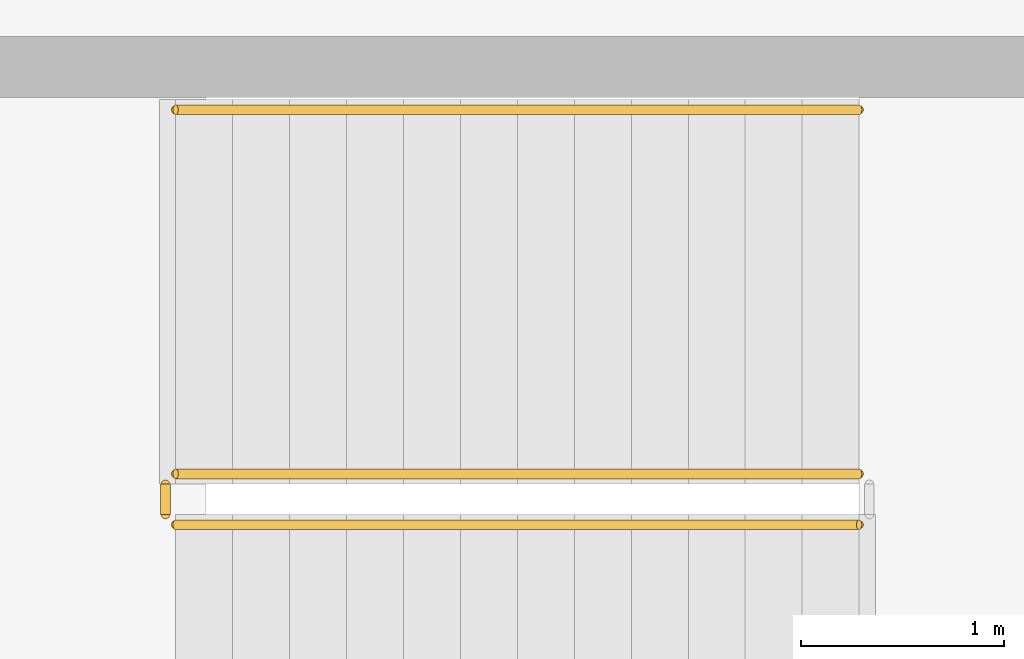
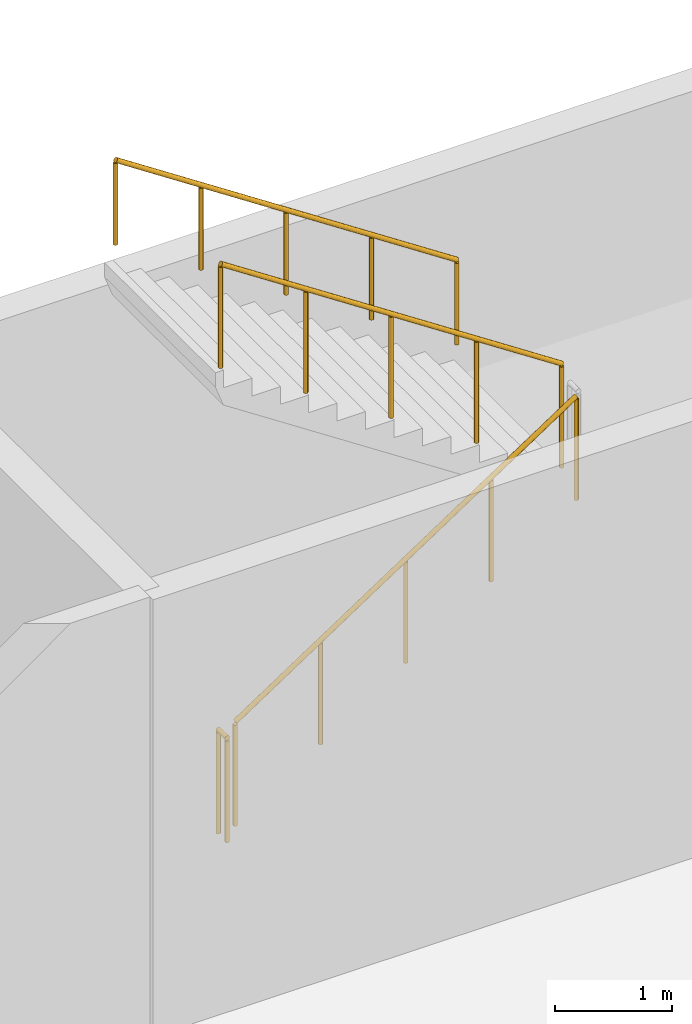
# One storey, part 57 of 66: 4 railings.
"""IFC4 building model written with IfcOpenShell, lengths in metres."""

from ifc_helpers import new_model, si_unit, direction, frame, origin, origin_2d, place, context, subcontext, project, spatial, circle, extrude, material, type_object, element, save


model = new_model("IFC4")

# Units and contexts
model_context = context("Model", 3, precision=1e-05, world=origin(), true_north=direction((0.0, 1.0)))
body_context = subcontext(model_context, "Body", "Model", "MODEL_VIEW")
ifc_project = project(units=[si_unit("LENGTHUNIT", "METRE"), si_unit("AREAUNIT", "SQUARE_METRE"), si_unit("VOLUMEUNIT", "CUBIC_METRE"), si_unit("PLANEANGLEUNIT", "RADIAN"), si_unit("MASSUNIT", "GRAM", prefix="KILO")], contexts=[model_context])

# Site, building, storey
site_placement = place(None, origin())
site = spatial("IfcSite", under=ifc_project, at=site_placement, CompositionType="ELEMENT")
building_placement = place(site_placement, origin())
building = spatial("IfcBuilding", under=site, at=building_placement, Name="Mirzam Square Science Centre", CompositionType="ELEMENT")
storey_placement = place(building_placement, frame((0.0, 0.0, 15.60009765625)))
storey = spatial("IfcBuildingStorey", under=building, at=storey_placement, Name="L03", CompositionType="ELEMENT", Elevation=15.60009765625)

# Railings
ifc_material_1 = material(Name="Bronze-Anodised Architectural Balustrade", Category="aluminium")
railing_type_1 = type_object("IfcRailingType", Name="RL-INT-GUARD-1100", PredefinedType="GUARDRAIL", material=ifc_material_1)
railing_1_placement = place(storey_placement, frame((76.68994140625, 51.840087890625, 0.1845703125)))
element("IfcRailing", 1, at=railing_1_placement, inside=storey, type_object=railing_type_1, Name="L03 ST-03 stair guard 1", PredefinedType="GUARDRAIL", context=body_context, shape_type="SweptSolid", body=[
    extrude(circle(Radius=0.02392578125, at=origin_2d()), frame((0.0, 0.0, 1.076171875), z_axis=(0.834876476806, 0.0, 0.550437342915), x_axis=(0.0, 1.0, 0.0)), (0.0, 0.0, 1.0), 4.024658203125),
    extrude(circle(Radius=0.02099609375, at=origin_2d()), origin(), (0.0, 0.0, 1.0), 1.052001953125),
    extrude(circle(Radius=0.02099609375, at=origin_2d()), frame((0.840087890625, 0.0, 0.5537109375)), (0.0, 0.0, 1.0), 1.052001953125),
    extrude(circle(Radius=0.02099609375, at=origin_2d()), frame((1.68017578125, 0.0, 1.107666015625)), (0.0, 0.0, 1.0), 1.052001953125),
    extrude(circle(Radius=0.02099609375, at=origin_2d()), frame((2.52001953125, 0.0, 1.66162109375)), (0.0, 0.0, 1.0), 1.052001953125),
    extrude(circle(Radius=0.02099609375, at=origin_2d()), frame((3.360107421875, 0.0, 2.21533203125)), (0.0, 0.0, 1.0), 1.052001953125),
])
railing_2_placement = place(storey_placement, frame((80.050048828125, 52.090087890625, 2.58447265625)))
element("IfcRailing", 2, at=railing_2_placement, inside=storey, type_object=railing_type_1, Name="L03 ST-03 stair guard 3", PredefinedType="GUARDRAIL", context=body_context, shape_type="SweptSolid", body=[
    extrude(circle(Radius=0.02392578125, at=origin_2d()), frame((0.0, 0.0, 1.076171875), z_axis=(-0.834876476806, 0.0, 0.550437342915), x_axis=(0.0, -1.0, 0.0)), (0.0, 0.0, 1.0), 4.024658203125),
    extrude(circle(Radius=0.02099609375, at=origin_2d()), origin(), (0.0, 0.0, 1.0), 1.052001953125),
    extrude(circle(Radius=0.02099609375, at=origin_2d()), frame((-0.840087890625, 0.0, 0.5537109375)), (0.0, 0.0, 1.0), 1.052001953125),
    extrude(circle(Radius=0.02099609375, at=origin_2d()), frame((-1.68017578125, 0.0, 1.107666015625)), (0.0, 0.0, 1.0), 1.052001953125),
    extrude(circle(Radius=0.02099609375, at=origin_2d()), frame((-2.52001953125, 0.0, 1.66162109375)), (0.0, 0.0, 1.0), 1.052001953125),
    extrude(circle(Radius=0.02099609375, at=origin_2d()), frame((-3.360107421875, 0.0, 2.21533203125)), (0.0, 0.0, 1.0), 1.052001953125),
])
railing_3_placement = place(storey_placement, frame((76.639892578125, 51.889892578125, 0.0)))
element("IfcRailing", 3, at=railing_3_placement, inside=storey, type_object=railing_type_1, Name="L03 ST-03 stair guard 4", PredefinedType="GUARDRAIL", context=body_context, shape_type="SweptSolid", body=[
    extrude(circle(Radius=0.02392578125, at=origin_2d()), frame((0.0, 0.0, 1.076171875), z_axis=(0.0, 1.0, 0.0), x_axis=(-1.0, 0.0, 0.0)), (0.0, 0.0, 1.0), 0.150146484375),
    extrude(circle(Radius=0.02099609375, at=origin_2d()), origin(), (0.0, 0.0, 1.0), 1.052001953125),
    extrude(circle(Radius=0.02099609375, at=origin_2d()), frame((0.0, 0.150146484375, 0.0)), (0.0, 0.0, 1.0), 1.052001953125),
])
ifc_material_2 = material(Name="Brushed Bronze Tubular Handrail", Category="aluminium")
railing_type_2 = type_object("IfcRailingType", Name="RL-STAIR-HANDRAIL-900", PredefinedType="HANDRAIL", material=ifc_material_2)
railing_4_placement = place(storey_placement, frame((80.050048828125, 53.8798828125, 2.78125)))
element("IfcRailing", 4, at=railing_4_placement, inside=storey, type_object=railing_type_2, Name="L03 ST-03 stair handrail 2", PredefinedType="HANDRAIL", context=body_context, shape_type="SweptSolid", body=[
    extrude(circle(Radius=0.02392578125, at=origin_2d()), frame((0.0, 0.0, 0.8759765625), z_axis=(-0.834876476806, 0.0, 0.550437342915), x_axis=(0.0, -1.0, 0.0)), (0.0, 0.0, 1.0), 4.024658203125),
    extrude(circle(Radius=0.02099609375, at=origin_2d()), origin(), (0.0, 0.0, 1.0), 0.851806640625),
    extrude(circle(Radius=0.02099609375, at=origin_2d()), frame((-0.840087890625, 0.0, 0.5537109375)), (0.0, 0.0, 1.0), 0.851806640625),
    extrude(circle(Radius=0.02099609375, at=origin_2d()), frame((-1.68017578125, 0.0, 1.107666015625)), (0.0, 0.0, 1.0), 0.851806640625),
    extrude(circle(Radius=0.02099609375, at=origin_2d()), frame((-2.52001953125, 0.0, 1.66162109375)), (0.0, 0.0, 1.0), 0.851806640625),
    extrude(circle(Radius=0.02099609375, at=origin_2d()), frame((-3.360107421875, 0.0, 2.21533203125)), (0.0, 0.0, 1.0), 0.851806640625),
])

save(model, "model.ifc")
